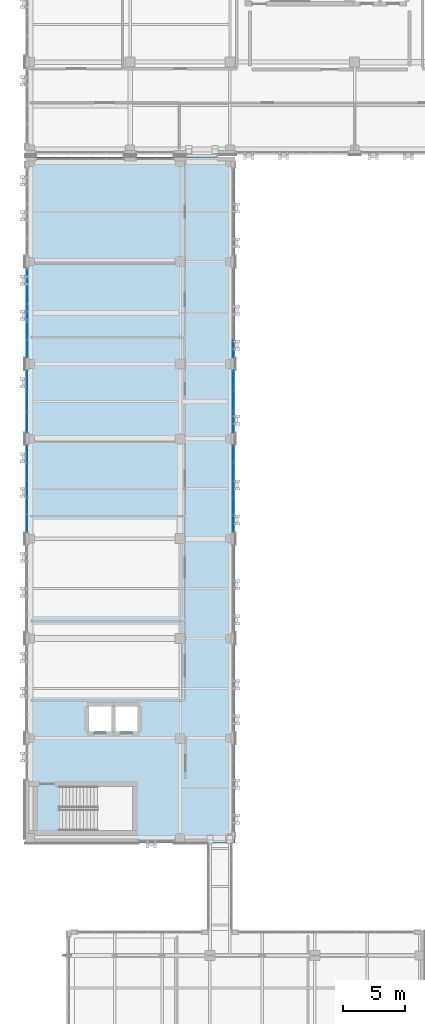
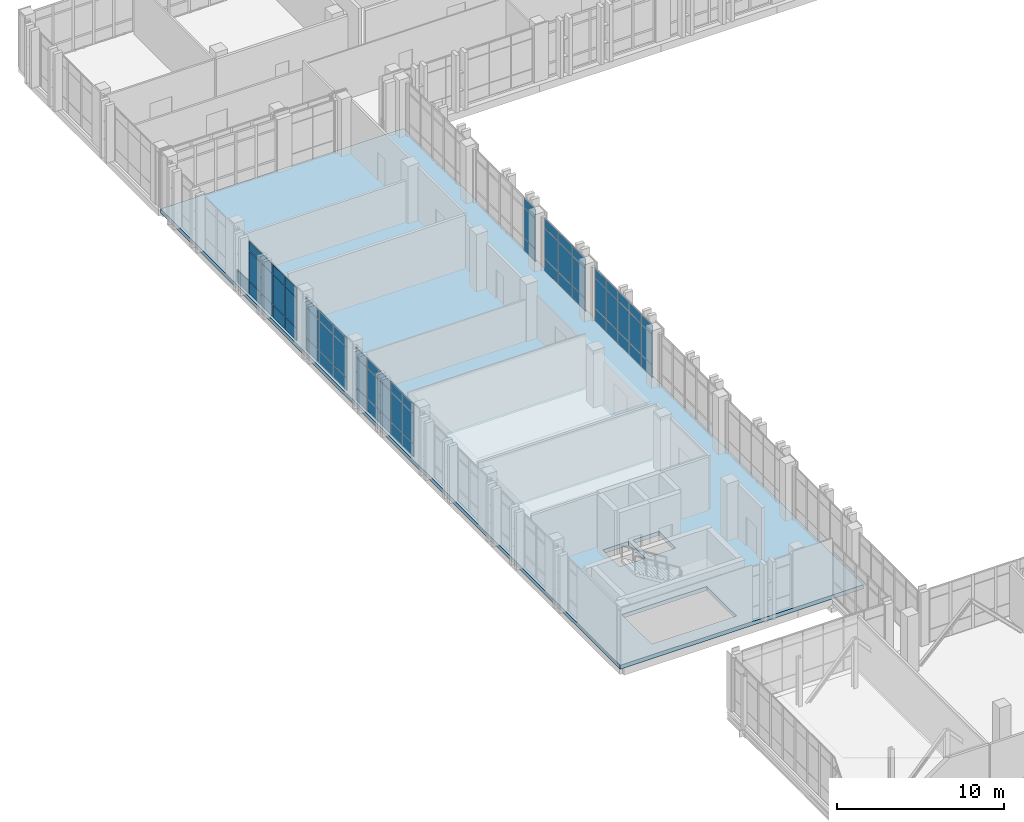
# One storey, part 142 of 193: 64 plates, 1 slab, 6 elements without a shape of their own.
"""IFC4 building model written with IfcOpenShell, lengths in metres."""

from ifc_helpers import new_model, si_unit, direction, frame, origin, origin_2d, place, context, subcontext, project, spatial, polyline, rectangle, outline, extrude, material, layer, layer_set, type_object, element, aggregate, save


model = new_model("IFC4")

# Units and contexts
model_context = context("Model", 3, precision=1e-05, world=origin(), true_north=direction((0.0, 1.0)))
body_context = subcontext(model_context, "Body", "Model", "MODEL_VIEW")
ifc_project = project(units=[si_unit("LENGTHUNIT", "METRE"), si_unit("AREAUNIT", "SQUARE_METRE"), si_unit("VOLUMEUNIT", "CUBIC_METRE"), si_unit("PLANEANGLEUNIT", "RADIAN"), si_unit("MASSUNIT", "GRAM", prefix="KILO")], contexts=[model_context])

# Site, building, storey
site_placement = place(None, origin())
site = spatial("IfcSite", under=ifc_project, at=site_placement, CompositionType="ELEMENT")
building_placement = place(site_placement, origin())
building = spatial("IfcBuilding", under=site, at=building_placement, Name="Qalavern Law Courts", CompositionType="ELEMENT")
storey_placement = place(building_placement, frame((0.0, 0.0, 10.199951171875)))
storey = spatial("IfcBuildingStorey", under=building, at=storey_placement, Name="L02", CompositionType="ELEMENT", Elevation=10.199951171875)

# Curtain wall, plates
ifc_material_1 = material(Name="Anodised aluminium and insulated glazing", Category="aluminium")
ifc_layer_1 = layer(ifc_material_1, 0.172119140625)
ifc_layer_set_1 = layer_set([ifc_layer_1], Name="Anodised aluminium and insulated glazing")
curtain_wall_type = type_object("IfcCurtainWallType", Name="ENV-CW-COURT", PredefinedType="USERDEFINED", material=ifc_layer_set_1)
curtain_wall_1_placement = place(storey_placement, origin())
curtain_wall_1 = element("IfcCurtainWall", 1, at=curtain_wall_1_placement, inside=storey, type_object=curtain_wall_type, Name="V3 unitised curtain wall L02 west 3", ObjectType="UNITISED CURTAIN WALL", PredefinedType="USERDEFINED")
ifc_material_2 = material(Name="Insulated low-E acoustic glazing", Category="glass")
ifc_layer_2 = layer(ifc_material_2, 0.02392578125)
ifc_layer_set_2 = layer_set([ifc_layer_2], Name="Insulated low-E acoustic glazing")
plate_type_1 = type_object("IfcPlateType", Name="ENV-CWP-24", PredefinedType="CURTAIN_PANEL", material=ifc_layer_set_2)
plate_1_placement = place(storey_placement, frame((2.155029296875, 78.0546875, 0.048095703125), z_axis=(0.0, 0.0, 1.0), x_axis=(0.0, -1.0, 0.0)))
plate_1 = element("IfcPlate", 2, at=plate_1_placement, type_object=plate_type_1, Name="CW-03 panel 1.1", PredefinedType="CURTAIN_PANEL", context=body_context, shape_type="SweptSolid", body=[
    extrude(rectangle(XDim=1.5947265625, YDim=0.02392578125, at=origin_2d()), origin(), (0.0, 0.0, 1.0), 0.8779296875),
])
plate_2_placement = place(storey_placement, frame((2.155029296875, 78.0546875, 0.97412109375), z_axis=(0.0, 0.0, 1.0), x_axis=(0.0, -1.0, 0.0)))
plate_2 = element("IfcPlate", 3, at=plate_2_placement, type_object=plate_type_1, Name="CW-03 panel 1.2", PredefinedType="CURTAIN_PANEL", context=body_context, shape_type="SweptSolid", body=[
    extrude(rectangle(XDim=1.5947265625, YDim=0.02392578125, at=origin_2d()), origin(), (0.0, 0.0, 1.0), 2.1669921875),
])
plate_3_placement = place(storey_placement, frame((2.155029296875, 78.0546875, 3.18896484375), z_axis=(0.0, 0.0, 1.0), x_axis=(0.0, -1.0, 0.0)))
plate_3 = element("IfcPlate", 4, at=plate_3_placement, type_object=plate_type_1, Name="CW-03 panel 1.3", PredefinedType="CURTAIN_PANEL", context=body_context, shape_type="SweptSolid", body=[
    extrude(rectangle(XDim=1.5947265625, YDim=0.02392578125, at=origin_2d()), origin(), (0.0, 0.0, 1.0), 0.677978515625),
])
plate_4_placement = place(storey_placement, frame((2.155029296875, 76.39990234375, 0.048095703125), z_axis=(0.0, 0.0, 1.0), x_axis=(0.0, -1.0, 0.0)))
plate_4 = element("IfcPlate", 5, at=plate_4_placement, type_object=plate_type_1, Name="CW-03 panel 2.1", PredefinedType="CURTAIN_PANEL", context=body_context, shape_type="SweptSolid", body=[
    extrude(rectangle(XDim=1.61865234375, YDim=0.02392578125, at=origin_2d()), origin(), (0.0, 0.0, 1.0), 0.8779296875),
])
plate_5_placement = place(storey_placement, frame((2.155029296875, 76.39990234375, 0.97412109375), z_axis=(0.0, 0.0, 1.0), x_axis=(0.0, -1.0, 0.0)))
plate_5 = element("IfcPlate", 6, at=plate_5_placement, type_object=plate_type_1, Name="CW-03 panel 2.2", PredefinedType="CURTAIN_PANEL", context=body_context, shape_type="SweptSolid", body=[
    extrude(rectangle(XDim=1.61865234375, YDim=0.02392578125, at=origin_2d()), origin(), (0.0, 0.0, 1.0), 2.1669921875),
])
plate_6_placement = place(storey_placement, frame((2.155029296875, 76.39990234375, 3.18896484375), z_axis=(0.0, 0.0, 1.0), x_axis=(0.0, -1.0, 0.0)))
plate_6 = element("IfcPlate", 7, at=plate_6_placement, type_object=plate_type_1, Name="CW-03 panel 2.3", PredefinedType="CURTAIN_PANEL", context=body_context, shape_type="SweptSolid", body=[
    extrude(rectangle(XDim=1.61865234375, YDim=0.02392578125, at=origin_2d()), origin(), (0.0, 0.0, 1.0), 0.677978515625),
])
plate_7_placement = place(storey_placement, frame((2.155029296875, 74.745361328125, 0.048095703125), z_axis=(0.0, 0.0, 1.0), x_axis=(0.0, -1.0, 0.0)))
plate_7 = element("IfcPlate", 8, at=plate_7_placement, type_object=plate_type_1, Name="CW-03 panel 3.1", PredefinedType="CURTAIN_PANEL", context=body_context, shape_type="SweptSolid", body=[
    extrude(rectangle(XDim=1.5947265625, YDim=0.02392578125, at=origin_2d()), origin(), (0.0, 0.0, 1.0), 0.8779296875),
])
plate_8_placement = place(storey_placement, frame((2.155029296875, 74.745361328125, 0.97412109375), z_axis=(0.0, 0.0, 1.0), x_axis=(0.0, -1.0, 0.0)))
plate_8 = element("IfcPlate", 9, at=plate_8_placement, type_object=plate_type_1, Name="CW-03 panel 3.2", PredefinedType="CURTAIN_PANEL", context=body_context, shape_type="SweptSolid", body=[
    extrude(rectangle(XDim=1.5947265625, YDim=0.02392578125, at=origin_2d()), origin(), (0.0, 0.0, 1.0), 2.1669921875),
])
plate_9_placement = place(storey_placement, frame((2.155029296875, 74.745361328125, 3.18896484375), z_axis=(0.0, 0.0, 1.0), x_axis=(0.0, -1.0, 0.0)))
plate_9 = element("IfcPlate", 10, at=plate_9_placement, type_object=plate_type_1, Name="CW-03 panel 3.3", PredefinedType="CURTAIN_PANEL", context=body_context, shape_type="SweptSolid", body=[
    extrude(rectangle(XDim=1.5947265625, YDim=0.02392578125, at=origin_2d()), origin(), (0.0, 0.0, 1.0), 0.677978515625),
])
aggregate(curtain_wall_1, [plate_1, plate_2, plate_3, plate_4, plate_5, plate_6, plate_7, plate_8, plate_9])

curtain_wall_2_placement = place(storey_placement, origin())
curtain_wall_2 = element("IfcCurtainWall", 11, at=curtain_wall_2_placement, inside=storey, type_object=curtain_wall_type, Name="V3 unitised curtain wall L02 east 4", ObjectType="UNITISED CURTAIN WALL", PredefinedType="USERDEFINED")
ifc_layer_3 = layer(ifc_material_2, 0.028076171875)
ifc_layer_set_3 = layer_set([ifc_layer_3], Name="Insulated low-E acoustic glazing")
plate_type_2 = type_object("IfcPlateType", Name="ENV-CWP-28", PredefinedType="CURTAIN_PANEL", material=ifc_layer_set_3)
plate_10_placement = place(storey_placement, frame((18.64501953125, 66.612060546875, 0.048095703125), z_axis=(0.0, 0.0, 1.0), x_axis=(0.0, 1.0, 0.0)))
plate_10 = element("IfcPlate", 12, at=plate_10_placement, type_object=plate_type_2, Name="CW-03 panel 1.1", PredefinedType="CURTAIN_PANEL", context=body_context, shape_type="SweptSolid", body=[
    extrude(rectangle(XDim=1.327880859375, YDim=0.028076171875, at=origin_2d()), origin(), (0.0, 0.0, 1.0), 0.8779296875),
])
plate_11_placement = place(storey_placement, frame((18.64501953125, 66.612060546875, 0.97412109375), z_axis=(0.0, 0.0, 1.0), x_axis=(0.0, 1.0, 0.0)))
plate_11 = element("IfcPlate", 13, at=plate_11_placement, type_object=plate_type_2, Name="CW-03 panel 1.2", PredefinedType="CURTAIN_PANEL", context=body_context, shape_type="SweptSolid", body=[
    extrude(rectangle(XDim=1.327880859375, YDim=0.028076171875, at=origin_2d()), origin(), (0.0, 0.0, 1.0), 2.1669921875),
])
plate_12_placement = place(storey_placement, frame((18.64501953125, 66.612060546875, 3.18896484375), z_axis=(0.0, 0.0, 1.0), x_axis=(0.0, 1.0, 0.0)))
plate_12 = element("IfcPlate", 14, at=plate_12_placement, type_object=plate_type_2, Name="CW-03 panel 1.3", PredefinedType="CURTAIN_PANEL", context=body_context, shape_type="SweptSolid", body=[
    extrude(rectangle(XDim=1.327880859375, YDim=0.028076171875, at=origin_2d()), origin(), (0.0, 0.0, 1.0), 0.677978515625),
])
plate_13_placement = place(storey_placement, frame((18.64501953125, 68.0, 0.048095703125), z_axis=(0.0, 0.0, 1.0), x_axis=(0.0, 1.0, 0.0)))
plate_13 = element("IfcPlate", 15, at=plate_13_placement, type_object=plate_type_2, Name="CW-03 panel 2.1", PredefinedType="CURTAIN_PANEL", context=body_context, shape_type="SweptSolid", body=[
    extrude(rectangle(XDim=1.35205078125, YDim=0.028076171875, at=origin_2d()), origin(), (0.0, 0.0, 1.0), 0.8779296875),
])
plate_14_placement = place(storey_placement, frame((18.64501953125, 68.0, 0.97412109375), z_axis=(0.0, 0.0, 1.0), x_axis=(0.0, 1.0, 0.0)))
plate_14 = element("IfcPlate", 16, at=plate_14_placement, type_object=plate_type_2, Name="CW-03 panel 2.2", PredefinedType="CURTAIN_PANEL", context=body_context, shape_type="SweptSolid", body=[
    extrude(rectangle(XDim=1.35205078125, YDim=0.028076171875, at=origin_2d()), origin(), (0.0, 0.0, 1.0), 2.1669921875),
])
plate_15_placement = place(storey_placement, frame((18.64501953125, 68.0, 3.18896484375), z_axis=(0.0, 0.0, 1.0), x_axis=(0.0, 1.0, 0.0)))
plate_15 = element("IfcPlate", 17, at=plate_15_placement, type_object=plate_type_2, Name="CW-03 panel 2.3", PredefinedType="CURTAIN_PANEL", context=body_context, shape_type="SweptSolid", body=[
    extrude(rectangle(XDim=1.35205078125, YDim=0.028076171875, at=origin_2d()), origin(), (0.0, 0.0, 1.0), 0.677978515625),
])
plate_16_placement = place(storey_placement, frame((18.64501953125, 69.39990234375, 0.048095703125), z_axis=(0.0, 0.0, 1.0), x_axis=(0.0, 1.0, 0.0)))
plate_16 = element("IfcPlate", 18, at=plate_16_placement, type_object=plate_type_2, Name="CW-03 panel 3.1", PredefinedType="CURTAIN_PANEL", context=body_context, shape_type="SweptSolid", body=[
    extrude(rectangle(XDim=1.35205078125, YDim=0.028076171875, at=origin_2d()), origin(), (0.0, 0.0, 1.0), 0.8779296875),
])
plate_17_placement = place(storey_placement, frame((18.64501953125, 69.39990234375, 0.97412109375), z_axis=(0.0, 0.0, 1.0), x_axis=(0.0, 1.0, 0.0)))
plate_17 = element("IfcPlate", 19, at=plate_17_placement, type_object=plate_type_2, Name="CW-03 panel 3.2", PredefinedType="CURTAIN_PANEL", context=body_context, shape_type="SweptSolid", body=[
    extrude(rectangle(XDim=1.35205078125, YDim=0.028076171875, at=origin_2d()), origin(), (0.0, 0.0, 1.0), 2.1669921875),
])
plate_18_placement = place(storey_placement, frame((18.64501953125, 69.39990234375, 3.18896484375), z_axis=(0.0, 0.0, 1.0), x_axis=(0.0, 1.0, 0.0)))
plate_18 = element("IfcPlate", 20, at=plate_18_placement, type_object=plate_type_2, Name="CW-03 panel 3.3", PredefinedType="CURTAIN_PANEL", context=body_context, shape_type="SweptSolid", body=[
    extrude(rectangle(XDim=1.35205078125, YDim=0.028076171875, at=origin_2d()), origin(), (0.0, 0.0, 1.0), 0.677978515625),
])
plate_19_placement = place(storey_placement, frame((18.64501953125, 70.800048828125, 0.048095703125), z_axis=(0.0, 0.0, 1.0), x_axis=(0.0, 1.0, 0.0)))
plate_19 = element("IfcPlate", 21, at=plate_19_placement, type_object=plate_type_2, Name="CW-03 panel 4.1", PredefinedType="CURTAIN_PANEL", context=body_context, shape_type="SweptSolid", body=[
    extrude(rectangle(XDim=1.35205078125, YDim=0.028076171875, at=origin_2d()), origin(), (0.0, 0.0, 1.0), 0.8779296875),
])
plate_20_placement = place(storey_placement, frame((18.64501953125, 70.800048828125, 0.97412109375), z_axis=(0.0, 0.0, 1.0), x_axis=(0.0, 1.0, 0.0)))
plate_20 = element("IfcPlate", 22, at=plate_20_placement, type_object=plate_type_2, Name="CW-03 panel 4.2", PredefinedType="CURTAIN_PANEL", context=body_context, shape_type="SweptSolid", body=[
    extrude(rectangle(XDim=1.35205078125, YDim=0.028076171875, at=origin_2d()), origin(), (0.0, 0.0, 1.0), 2.1669921875),
])
plate_21_placement = place(storey_placement, frame((18.64501953125, 70.800048828125, 3.18896484375), z_axis=(0.0, 0.0, 1.0), x_axis=(0.0, 1.0, 0.0)))
plate_21 = element("IfcPlate", 23, at=plate_21_placement, type_object=plate_type_2, Name="CW-03 panel 4.3", PredefinedType="CURTAIN_PANEL", context=body_context, shape_type="SweptSolid", body=[
    extrude(rectangle(XDim=1.35205078125, YDim=0.028076171875, at=origin_2d()), origin(), (0.0, 0.0, 1.0), 0.677978515625),
])
plate_22_placement = place(storey_placement, frame((18.64501953125, 72.18798828125, 0.048095703125), z_axis=(0.0, 0.0, 1.0), x_axis=(0.0, 1.0, 0.0)))
plate_22 = element("IfcPlate", 24, at=plate_22_placement, type_object=plate_type_2, Name="CW-03 panel 5.1", PredefinedType="CURTAIN_PANEL", context=body_context, shape_type="SweptSolid", body=[
    extrude(rectangle(XDim=1.327880859375, YDim=0.028076171875, at=origin_2d()), origin(), (0.0, 0.0, 1.0), 0.8779296875),
])
plate_23_placement = place(storey_placement, frame((18.64501953125, 72.18798828125, 0.97412109375), z_axis=(0.0, 0.0, 1.0), x_axis=(0.0, 1.0, 0.0)))
plate_23 = element("IfcPlate", 25, at=plate_23_placement, type_object=plate_type_2, Name="CW-03 panel 5.2", PredefinedType="CURTAIN_PANEL", context=body_context, shape_type="SweptSolid", body=[
    extrude(rectangle(XDim=1.327880859375, YDim=0.028076171875, at=origin_2d()), origin(), (0.0, 0.0, 1.0), 2.1669921875),
])
plate_24_placement = place(storey_placement, frame((18.64501953125, 72.18798828125, 3.18896484375), z_axis=(0.0, 0.0, 1.0), x_axis=(0.0, 1.0, 0.0)))
plate_24 = element("IfcPlate", 26, at=plate_24_placement, type_object=plate_type_2, Name="CW-03 panel 5.3", PredefinedType="CURTAIN_PANEL", context=body_context, shape_type="SweptSolid", body=[
    extrude(rectangle(XDim=1.327880859375, YDim=0.028076171875, at=origin_2d()), origin(), (0.0, 0.0, 1.0), 0.677978515625),
])
aggregate(curtain_wall_2, [plate_10, plate_11, plate_12, plate_13, plate_14, plate_15, plate_16, plate_17, plate_18, plate_19, plate_20, plate_21, plate_22, plate_23, plate_24])

curtain_wall_3_placement = place(storey_placement, origin())
curtain_wall_3 = element("IfcCurtainWall", 27, at=curtain_wall_3_placement, inside=storey, type_object=curtain_wall_type, Name="V3 unitised curtain wall L02 west 4", ObjectType="UNITISED CURTAIN WALL", PredefinedType="USERDEFINED")
plate_25_placement = place(storey_placement, frame((2.155029296875, 72.18798828125, 0.048095703125), z_axis=(0.0, 0.0, 1.0), x_axis=(0.0, -1.0, 0.0)))
plate_25 = element("IfcPlate", 28, at=plate_25_placement, type_object=plate_type_2, Name="CW-03 panel 1.1", PredefinedType="CURTAIN_PANEL", context=body_context, shape_type="SweptSolid", body=[
    extrude(rectangle(XDim=1.327880859375, YDim=0.028076171875, at=origin_2d()), origin(), (0.0, 0.0, 1.0), 0.8779296875),
])
plate_26_placement = place(storey_placement, frame((2.155029296875, 72.18798828125, 0.97412109375), z_axis=(0.0, 0.0, 1.0), x_axis=(0.0, -1.0, 0.0)))
plate_26 = element("IfcPlate", 29, at=plate_26_placement, type_object=plate_type_2, Name="CW-03 panel 1.2", PredefinedType="CURTAIN_PANEL", context=body_context, shape_type="SweptSolid", body=[
    extrude(rectangle(XDim=1.327880859375, YDim=0.028076171875, at=origin_2d()), origin(), (0.0, 0.0, 1.0), 2.1669921875),
])
plate_27_placement = place(storey_placement, frame((2.155029296875, 72.18798828125, 3.18896484375), z_axis=(0.0, 0.0, 1.0), x_axis=(0.0, -1.0, 0.0)))
plate_27 = element("IfcPlate", 30, at=plate_27_placement, type_object=plate_type_2, Name="CW-03 panel 1.3", PredefinedType="CURTAIN_PANEL", context=body_context, shape_type="SweptSolid", body=[
    extrude(rectangle(XDim=1.327880859375, YDim=0.028076171875, at=origin_2d()), origin(), (0.0, 0.0, 1.0), 0.677978515625),
])
plate_28_placement = place(storey_placement, frame((2.155029296875, 70.800048828125, 0.048095703125), z_axis=(0.0, 0.0, 1.0), x_axis=(0.0, -1.0, 0.0)))
plate_28 = element("IfcPlate", 31, at=plate_28_placement, type_object=plate_type_2, Name="CW-03 panel 2.1", PredefinedType="CURTAIN_PANEL", context=body_context, shape_type="SweptSolid", body=[
    extrude(rectangle(XDim=1.35205078125, YDim=0.028076171875, at=origin_2d()), origin(), (0.0, 0.0, 1.0), 0.8779296875),
])
plate_29_placement = place(storey_placement, frame((2.155029296875, 70.800048828125, 0.97412109375), z_axis=(0.0, 0.0, 1.0), x_axis=(0.0, -1.0, 0.0)))
plate_29 = element("IfcPlate", 32, at=plate_29_placement, type_object=plate_type_2, Name="CW-03 panel 2.2", PredefinedType="CURTAIN_PANEL", context=body_context, shape_type="SweptSolid", body=[
    extrude(rectangle(XDim=1.35205078125, YDim=0.028076171875, at=origin_2d()), origin(), (0.0, 0.0, 1.0), 2.1669921875),
])
plate_30_placement = place(storey_placement, frame((2.155029296875, 70.800048828125, 3.18896484375), z_axis=(0.0, 0.0, 1.0), x_axis=(0.0, -1.0, 0.0)))
plate_30 = element("IfcPlate", 33, at=plate_30_placement, type_object=plate_type_2, Name="CW-03 panel 2.3", PredefinedType="CURTAIN_PANEL", context=body_context, shape_type="SweptSolid", body=[
    extrude(rectangle(XDim=1.35205078125, YDim=0.028076171875, at=origin_2d()), origin(), (0.0, 0.0, 1.0), 0.677978515625),
])
plate_31_placement = place(storey_placement, frame((2.155029296875, 69.39990234375, 0.048095703125), z_axis=(0.0, 0.0, 1.0), x_axis=(0.0, -1.0, 0.0)))
plate_31 = element("IfcPlate", 34, at=plate_31_placement, type_object=plate_type_2, Name="CW-03 panel 3.1", PredefinedType="CURTAIN_PANEL", context=body_context, shape_type="SweptSolid", body=[
    extrude(rectangle(XDim=1.35205078125, YDim=0.028076171875, at=origin_2d()), origin(), (0.0, 0.0, 1.0), 0.8779296875),
])
plate_32_placement = place(storey_placement, frame((2.155029296875, 69.39990234375, 0.97412109375), z_axis=(0.0, 0.0, 1.0), x_axis=(0.0, -1.0, 0.0)))
plate_32 = element("IfcPlate", 35, at=plate_32_placement, type_object=plate_type_2, Name="CW-03 panel 3.2", PredefinedType="CURTAIN_PANEL", context=body_context, shape_type="SweptSolid", body=[
    extrude(rectangle(XDim=1.35205078125, YDim=0.028076171875, at=origin_2d()), origin(), (0.0, 0.0, 1.0), 2.1669921875),
])
plate_33_placement = place(storey_placement, frame((2.155029296875, 69.39990234375, 3.18896484375), z_axis=(0.0, 0.0, 1.0), x_axis=(0.0, -1.0, 0.0)))
plate_33 = element("IfcPlate", 36, at=plate_33_placement, type_object=plate_type_2, Name="CW-03 panel 3.3", PredefinedType="CURTAIN_PANEL", context=body_context, shape_type="SweptSolid", body=[
    extrude(rectangle(XDim=1.35205078125, YDim=0.028076171875, at=origin_2d()), origin(), (0.0, 0.0, 1.0), 0.677978515625),
])
plate_34_placement = place(storey_placement, frame((2.155029296875, 68.0, 0.048095703125), z_axis=(0.0, 0.0, 1.0), x_axis=(0.0, -1.0, 0.0)))
plate_34 = element("IfcPlate", 37, at=plate_34_placement, type_object=plate_type_2, Name="CW-03 panel 4.1", PredefinedType="CURTAIN_PANEL", context=body_context, shape_type="SweptSolid", body=[
    extrude(rectangle(XDim=1.35205078125, YDim=0.028076171875, at=origin_2d()), origin(), (0.0, 0.0, 1.0), 0.8779296875),
])
plate_35_placement = place(storey_placement, frame((2.155029296875, 68.0, 0.97412109375), z_axis=(0.0, 0.0, 1.0), x_axis=(0.0, -1.0, 0.0)))
plate_35 = element("IfcPlate", 38, at=plate_35_placement, type_object=plate_type_2, Name="CW-03 panel 4.2", PredefinedType="CURTAIN_PANEL", context=body_context, shape_type="SweptSolid", body=[
    extrude(rectangle(XDim=1.35205078125, YDim=0.028076171875, at=origin_2d()), origin(), (0.0, 0.0, 1.0), 2.1669921875),
])
plate_36_placement = place(storey_placement, frame((2.155029296875, 68.0, 3.18896484375), z_axis=(0.0, 0.0, 1.0), x_axis=(0.0, -1.0, 0.0)))
plate_36 = element("IfcPlate", 39, at=plate_36_placement, type_object=plate_type_2, Name="CW-03 panel 4.3", PredefinedType="CURTAIN_PANEL", context=body_context, shape_type="SweptSolid", body=[
    extrude(rectangle(XDim=1.35205078125, YDim=0.028076171875, at=origin_2d()), origin(), (0.0, 0.0, 1.0), 0.677978515625),
])
plate_37_placement = place(storey_placement, frame((2.155029296875, 66.612060546875, 0.048095703125), z_axis=(0.0, 0.0, 1.0), x_axis=(0.0, -1.0, 0.0)))
plate_37 = element("IfcPlate", 40, at=plate_37_placement, type_object=plate_type_2, Name="CW-03 panel 5.1", PredefinedType="CURTAIN_PANEL", context=body_context, shape_type="SweptSolid", body=[
    extrude(rectangle(XDim=1.327880859375, YDim=0.028076171875, at=origin_2d()), origin(), (0.0, 0.0, 1.0), 0.8779296875),
])
plate_38_placement = place(storey_placement, frame((2.155029296875, 66.612060546875, 0.97412109375), z_axis=(0.0, 0.0, 1.0), x_axis=(0.0, -1.0, 0.0)))
plate_38 = element("IfcPlate", 41, at=plate_38_placement, type_object=plate_type_2, Name="CW-03 panel 5.2", PredefinedType="CURTAIN_PANEL", context=body_context, shape_type="SweptSolid", body=[
    extrude(rectangle(XDim=1.327880859375, YDim=0.028076171875, at=origin_2d()), origin(), (0.0, 0.0, 1.0), 2.1669921875),
])
plate_39_placement = place(storey_placement, frame((2.155029296875, 66.612060546875, 3.18896484375), z_axis=(0.0, 0.0, 1.0), x_axis=(0.0, -1.0, 0.0)))
plate_39 = element("IfcPlate", 42, at=plate_39_placement, type_object=plate_type_2, Name="CW-03 panel 5.3", PredefinedType="CURTAIN_PANEL", context=body_context, shape_type="SweptSolid", body=[
    extrude(rectangle(XDim=1.327880859375, YDim=0.028076171875, at=origin_2d()), origin(), (0.0, 0.0, 1.0), 0.677978515625),
])
aggregate(curtain_wall_3, [plate_25, plate_26, plate_27, plate_28, plate_29, plate_30, plate_31, plate_32, plate_33, plate_34, plate_35, plate_36, plate_37, plate_38, plate_39])

curtain_wall_4_placement = place(storey_placement, origin())
curtain_wall_4 = element("IfcCurtainWall", 43, at=curtain_wall_4_placement, inside=storey, type_object=curtain_wall_type, Name="V3 unitised curtain wall L02 east 5", ObjectType="UNITISED CURTAIN WALL", PredefinedType="USERDEFINED")
ifc_layer_4 = layer(ifc_material_2, 0.031982421875)
ifc_layer_set_4 = layer_set([ifc_layer_4], Name="Insulated low-E acoustic glazing")
plate_type_3 = type_object("IfcPlateType", Name="ENV-CWP-32", PredefinedType="CURTAIN_PANEL", material=ifc_layer_set_4)
plate_40_placement = place(storey_placement, frame((18.64501953125, 74.745361328125, 0.048095703125), z_axis=(0.0, 0.0, 1.0), x_axis=(0.0, 1.0, 0.0)))
plate_40 = element("IfcPlate", 44, at=plate_40_placement, type_object=plate_type_3, Name="CW-03 panel 1.1", PredefinedType="CURTAIN_PANEL", context=body_context, shape_type="SweptSolid", body=[
    extrude(rectangle(XDim=1.5947265625, YDim=0.031982421875, at=origin_2d()), origin(), (0.0, 0.0, 1.0), 0.8779296875),
])
plate_41_placement = place(storey_placement, frame((18.64501953125, 74.745361328125, 0.97412109375), z_axis=(0.0, 0.0, 1.0), x_axis=(0.0, 1.0, 0.0)))
plate_41 = element("IfcPlate", 45, at=plate_41_placement, type_object=plate_type_3, Name="CW-03 panel 1.2", PredefinedType="CURTAIN_PANEL", context=body_context, shape_type="SweptSolid", body=[
    extrude(rectangle(XDim=1.5947265625, YDim=0.031982421875, at=origin_2d()), origin(), (0.0, 0.0, 1.0), 2.1669921875),
])
plate_42_placement = place(storey_placement, frame((18.64501953125, 74.745361328125, 3.18896484375), z_axis=(0.0, 0.0, 1.0), x_axis=(0.0, 1.0, 0.0)))
plate_42 = element("IfcPlate", 46, at=plate_42_placement, type_object=plate_type_3, Name="CW-03 panel 1.3", PredefinedType="CURTAIN_PANEL", context=body_context, shape_type="SweptSolid", body=[
    extrude(rectangle(XDim=1.5947265625, YDim=0.031982421875, at=origin_2d()), origin(), (0.0, 0.0, 1.0), 0.677978515625),
])
plate_43_placement = place(storey_placement, frame((18.64501953125, 76.39990234375, 0.048095703125), z_axis=(0.0, 0.0, 1.0), x_axis=(0.0, 1.0, 0.0)))
plate_43 = element("IfcPlate", 47, at=plate_43_placement, type_object=plate_type_3, Name="CW-03 panel 2.1", PredefinedType="CURTAIN_PANEL", context=body_context, shape_type="SweptSolid", body=[
    extrude(rectangle(XDim=1.61865234375, YDim=0.031982421875, at=origin_2d()), origin(), (0.0, 0.0, 1.0), 0.8779296875),
])
plate_44_placement = place(storey_placement, frame((18.64501953125, 76.39990234375, 0.97412109375), z_axis=(0.0, 0.0, 1.0), x_axis=(0.0, 1.0, 0.0)))
plate_44 = element("IfcPlate", 48, at=plate_44_placement, type_object=plate_type_3, Name="CW-03 panel 2.2", PredefinedType="CURTAIN_PANEL", context=body_context, shape_type="SweptSolid", body=[
    extrude(rectangle(XDim=1.61865234375, YDim=0.031982421875, at=origin_2d()), origin(), (0.0, 0.0, 1.0), 2.1669921875),
])
plate_45_placement = place(storey_placement, frame((18.64501953125, 76.39990234375, 3.18896484375), z_axis=(0.0, 0.0, 1.0), x_axis=(0.0, 1.0, 0.0)))
plate_45 = element("IfcPlate", 49, at=plate_45_placement, type_object=plate_type_3, Name="CW-03 panel 2.3", PredefinedType="CURTAIN_PANEL", context=body_context, shape_type="SweptSolid", body=[
    extrude(rectangle(XDim=1.61865234375, YDim=0.031982421875, at=origin_2d()), origin(), (0.0, 0.0, 1.0), 0.677978515625),
])
plate_46_placement = place(storey_placement, frame((18.64501953125, 78.0546875, 0.048095703125), z_axis=(0.0, 0.0, 1.0), x_axis=(0.0, 1.0, 0.0)))
plate_46 = element("IfcPlate", 50, at=plate_46_placement, type_object=plate_type_3, Name="CW-03 panel 3.1", PredefinedType="CURTAIN_PANEL", context=body_context, shape_type="SweptSolid", body=[
    extrude(rectangle(XDim=1.5947265625, YDim=0.031982421875, at=origin_2d()), origin(), (0.0, 0.0, 1.0), 0.8779296875),
])
plate_47_placement = place(storey_placement, frame((18.64501953125, 78.0546875, 0.97412109375), z_axis=(0.0, 0.0, 1.0), x_axis=(0.0, 1.0, 0.0)))
plate_47 = element("IfcPlate", 51, at=plate_47_placement, type_object=plate_type_3, Name="CW-03 panel 3.2", PredefinedType="CURTAIN_PANEL", context=body_context, shape_type="SweptSolid", body=[
    extrude(rectangle(XDim=1.5947265625, YDim=0.031982421875, at=origin_2d()), origin(), (0.0, 0.0, 1.0), 2.1669921875),
])
plate_48_placement = place(storey_placement, frame((18.64501953125, 78.0546875, 3.18896484375), z_axis=(0.0, 0.0, 1.0), x_axis=(0.0, 1.0, 0.0)))
plate_48 = element("IfcPlate", 52, at=plate_48_placement, type_object=plate_type_3, Name="CW-03 panel 3.3", PredefinedType="CURTAIN_PANEL", context=body_context, shape_type="SweptSolid", body=[
    extrude(rectangle(XDim=1.5947265625, YDim=0.031982421875, at=origin_2d()), origin(), (0.0, 0.0, 1.0), 0.677978515625),
])
aggregate(curtain_wall_4, [plate_40, plate_41, plate_42, plate_43, plate_44, plate_45, plate_46, plate_47, plate_48])

curtain_wall_5_placement = place(storey_placement, origin())
curtain_wall_5 = element("IfcCurtainWall", 53, at=curtain_wall_5_placement, inside=storey, type_object=curtain_wall_type, Name="V3 unitised curtain wall L02 east 6", ObjectType="UNITISED CURTAIN WALL", PredefinedType="USERDEFINED")
ifc_layer_5 = layer(ifc_material_2, 0.035888671875)
ifc_layer_set_5 = layer_set([ifc_layer_5], Name="Insulated low-E acoustic glazing")
plate_type_4 = type_object("IfcPlateType", Name="ENV-CWP-36", PredefinedType="CURTAIN_PANEL", material=ifc_layer_set_5)
plate_49_placement = place(storey_placement, frame((18.64501953125, 80.632080078125, 0.048095703125), z_axis=(0.0, 0.0, 1.0), x_axis=(0.0, 1.0, 0.0)))
plate_49 = element("IfcPlate", 54, at=plate_49_placement, type_object=plate_type_4, Name="CW-03 panel 1.1", PredefinedType="CURTAIN_PANEL", context=body_context, shape_type="SweptSolid", body=[
    extrude(rectangle(XDim=1.367919921875, YDim=0.035888671875, at=origin_2d()), origin(), (0.0, 0.0, 1.0), 0.8779296875),
])
plate_50_placement = place(storey_placement, frame((18.64501953125, 80.632080078125, 0.97412109375), z_axis=(0.0, 0.0, 1.0), x_axis=(0.0, 1.0, 0.0)))
plate_50 = element("IfcPlate", 55, at=plate_50_placement, type_object=plate_type_4, Name="CW-03 panel 1.2", PredefinedType="CURTAIN_PANEL", context=body_context, shape_type="SweptSolid", body=[
    extrude(rectangle(XDim=1.367919921875, YDim=0.035888671875, at=origin_2d()), origin(), (0.0, 0.0, 1.0), 2.1669921875),
])
plate_51_placement = place(storey_placement, frame((18.64501953125, 80.632080078125, 3.18896484375), z_axis=(0.0, 0.0, 1.0), x_axis=(0.0, 1.0, 0.0)))
plate_51 = element("IfcPlate", 56, at=plate_51_placement, type_object=plate_type_4, Name="CW-03 panel 1.3", PredefinedType="CURTAIN_PANEL", context=body_context, shape_type="SweptSolid", body=[
    extrude(rectangle(XDim=1.367919921875, YDim=0.035888671875, at=origin_2d()), origin(), (0.0, 0.0, 1.0), 0.677978515625),
])
aggregate(curtain_wall_5, [plate_49, plate_50, plate_51])

curtain_wall_6_placement = place(storey_placement, origin())
curtain_wall_6 = element("IfcCurtainWall", 57, at=curtain_wall_6_placement, inside=storey, type_object=curtain_wall_type, Name="V3 unitised curtain wall L02 west 2", ObjectType="UNITISED CURTAIN WALL", PredefinedType="USERDEFINED")
ifc_layer_6 = layer(ifc_material_2, 0.052001953125)
ifc_layer_set_6 = layer_set([ifc_layer_6], Name="Insulated low-E acoustic glazing")
plate_type_5 = type_object("IfcPlateType", Name="ENV-CWP-52", PredefinedType="CURTAIN_PANEL", material=ifc_layer_set_6)
plate_52_placement = place(storey_placement, frame((2.155029296875, 86.367919921875, 0.048095703125), z_axis=(0.0, 0.0, 1.0), x_axis=(0.0, -1.0, 0.0)))
plate_52 = element("IfcPlate", 58, at=plate_52_placement, type_object=plate_type_5, Name="CW-03 panel 1.1", PredefinedType="CURTAIN_PANEL", context=body_context, shape_type="SweptSolid", body=[
    extrude(rectangle(XDim=1.367919921875, YDim=0.052001953125, at=origin_2d()), origin(), (0.0, 0.0, 1.0), 0.8779296875),
])
plate_53_placement = place(storey_placement, frame((2.155029296875, 84.93994140625, 0.048095703125), z_axis=(0.0, 0.0, 1.0), x_axis=(0.0, -1.0, 0.0)))
plate_53 = element("IfcPlate", 59, at=plate_53_placement, type_object=plate_type_5, Name="CW-03 panel 2.1", PredefinedType="CURTAIN_PANEL", context=body_context, shape_type="SweptSolid", body=[
    extrude(rectangle(XDim=1.39208984375, YDim=0.052001953125, at=origin_2d()), origin(), (0.0, 0.0, 1.0), 0.8779296875),
])
plate_54_placement = place(storey_placement, frame((2.155029296875, 84.93994140625, 0.97412109375), z_axis=(0.0, 0.0, 1.0), x_axis=(0.0, -1.0, 0.0)))
plate_54 = element("IfcPlate", 60, at=plate_54_placement, type_object=plate_type_5, Name="CW-03 panel 2.2", PredefinedType="CURTAIN_PANEL", context=body_context, shape_type="SweptSolid", body=[
    extrude(rectangle(XDim=1.39208984375, YDim=0.052001953125, at=origin_2d()), origin(), (0.0, 0.0, 1.0), 2.1669921875),
])
plate_55_placement = place(storey_placement, frame((2.155029296875, 84.93994140625, 3.18896484375), z_axis=(0.0, 0.0, 1.0), x_axis=(0.0, -1.0, 0.0)))
plate_55 = element("IfcPlate", 61, at=plate_55_placement, type_object=plate_type_5, Name="CW-03 panel 2.3", PredefinedType="CURTAIN_PANEL", context=body_context, shape_type="SweptSolid", body=[
    extrude(rectangle(XDim=1.39208984375, YDim=0.052001953125, at=origin_2d()), origin(), (0.0, 0.0, 1.0), 0.677978515625),
])
plate_56_placement = place(storey_placement, frame((2.155029296875, 83.5, 0.048095703125), z_axis=(0.0, 0.0, 1.0), x_axis=(0.0, -1.0, 0.0)))
plate_56 = element("IfcPlate", 62, at=plate_56_placement, type_object=plate_type_5, Name="CW-03 panel 3.1", PredefinedType="CURTAIN_PANEL", context=body_context, shape_type="SweptSolid", body=[
    extrude(rectangle(XDim=1.39208984375, YDim=0.052001953125, at=origin_2d()), origin(), (0.0, 0.0, 1.0), 0.8779296875),
])
plate_57_placement = place(storey_placement, frame((2.155029296875, 83.5, 0.97412109375), z_axis=(0.0, 0.0, 1.0), x_axis=(0.0, -1.0, 0.0)))
plate_57 = element("IfcPlate", 63, at=plate_57_placement, type_object=plate_type_5, Name="CW-03 panel 3.2", PredefinedType="CURTAIN_PANEL", context=body_context, shape_type="SweptSolid", body=[
    extrude(rectangle(XDim=1.39208984375, YDim=0.052001953125, at=origin_2d()), origin(), (0.0, 0.0, 1.0), 2.1669921875),
])
plate_58_placement = place(storey_placement, frame((2.155029296875, 83.5, 3.18896484375), z_axis=(0.0, 0.0, 1.0), x_axis=(0.0, -1.0, 0.0)))
plate_58 = element("IfcPlate", 64, at=plate_58_placement, type_object=plate_type_5, Name="CW-03 panel 3.3", PredefinedType="CURTAIN_PANEL", context=body_context, shape_type="SweptSolid", body=[
    extrude(rectangle(XDim=1.39208984375, YDim=0.052001953125, at=origin_2d()), origin(), (0.0, 0.0, 1.0), 0.677978515625),
])
plate_59_placement = place(storey_placement, frame((2.155029296875, 82.06005859375, 0.048095703125), z_axis=(0.0, 0.0, 1.0), x_axis=(0.0, -1.0, 0.0)))
plate_59 = element("IfcPlate", 65, at=plate_59_placement, type_object=plate_type_5, Name="CW-03 panel 4.1", PredefinedType="CURTAIN_PANEL", context=body_context, shape_type="SweptSolid", body=[
    extrude(rectangle(XDim=1.39208984375, YDim=0.052001953125, at=origin_2d()), origin(), (0.0, 0.0, 1.0), 0.8779296875),
])
plate_60_placement = place(storey_placement, frame((2.155029296875, 82.06005859375, 0.97412109375), z_axis=(0.0, 0.0, 1.0), x_axis=(0.0, -1.0, 0.0)))
plate_60 = element("IfcPlate", 66, at=plate_60_placement, type_object=plate_type_5, Name="CW-03 panel 4.2", PredefinedType="CURTAIN_PANEL", context=body_context, shape_type="SweptSolid", body=[
    extrude(rectangle(XDim=1.39208984375, YDim=0.052001953125, at=origin_2d()), origin(), (0.0, 0.0, 1.0), 2.1669921875),
])
plate_61_placement = place(storey_placement, frame((2.155029296875, 82.06005859375, 3.18896484375), z_axis=(0.0, 0.0, 1.0), x_axis=(0.0, -1.0, 0.0)))
plate_61 = element("IfcPlate", 67, at=plate_61_placement, type_object=plate_type_5, Name="CW-03 panel 4.3", PredefinedType="CURTAIN_PANEL", context=body_context, shape_type="SweptSolid", body=[
    extrude(rectangle(XDim=1.39208984375, YDim=0.052001953125, at=origin_2d()), origin(), (0.0, 0.0, 1.0), 0.677978515625),
])
plate_62_placement = place(storey_placement, frame((2.155029296875, 80.632080078125, 0.048095703125), z_axis=(0.0, 0.0, 1.0), x_axis=(0.0, -1.0, 0.0)))
plate_62 = element("IfcPlate", 68, at=plate_62_placement, type_object=plate_type_5, Name="CW-03 panel 5.1", PredefinedType="CURTAIN_PANEL", context=body_context, shape_type="SweptSolid", body=[
    extrude(rectangle(XDim=1.367919921875, YDim=0.052001953125, at=origin_2d()), origin(), (0.0, 0.0, 1.0), 0.8779296875),
])
plate_63_placement = place(storey_placement, frame((2.155029296875, 80.632080078125, 0.97412109375), z_axis=(0.0, 0.0, 1.0), x_axis=(0.0, -1.0, 0.0)))
plate_63 = element("IfcPlate", 69, at=plate_63_placement, type_object=plate_type_5, Name="CW-03 panel 5.2", PredefinedType="CURTAIN_PANEL", context=body_context, shape_type="SweptSolid", body=[
    extrude(rectangle(XDim=1.367919921875, YDim=0.052001953125, at=origin_2d()), origin(), (0.0, 0.0, 1.0), 2.1669921875),
])
plate_64_placement = place(storey_placement, frame((2.155029296875, 80.632080078125, 3.18896484375), z_axis=(0.0, 0.0, 1.0), x_axis=(0.0, -1.0, 0.0)))
plate_64 = element("IfcPlate", 70, at=plate_64_placement, type_object=plate_type_5, Name="CW-03 panel 5.3", PredefinedType="CURTAIN_PANEL", context=body_context, shape_type="SweptSolid", body=[
    extrude(rectangle(XDim=1.367919921875, YDim=0.052001953125, at=origin_2d()), origin(), (0.0, 0.0, 1.0), 0.677978515625),
])
aggregate(curtain_wall_6, [plate_52, plate_53, plate_54, plate_55, plate_56, plate_57, plate_58, plate_59, plate_60, plate_61, plate_62, plate_63, plate_64])

# Slab
ifc_material_3 = material(Name="Concrete C40/50", Category="concrete")
ifc_layer_7 = layer(ifc_material_3, 0.2900390625)
ifc_layer_set_7 = layer_set([ifc_layer_7], Name="Concrete C40/50")
slab_type = type_object("IfcSlabType", Name="STR-SLB-L02-290", PredefinedType="FLOOR", material=ifc_layer_set_7)
slab_placement = place(storey_placement, frame((0.0, 0.0, -0.2900390625)))
element("IfcSlab", 71, at=slab_placement, inside=storey, type_object=slab_type, Name="V3 floor slab L02", PredefinedType="FLOOR", context=body_context, shape_type="SweptSolid", body=[
    extrude(outline(polyline([(2.0, 41.02001953125), (18.800048828125, 41.02001953125), (18.800048828125, 95.97998046875), (2.0, 95.97998046875), (2.0, 41.02001953125)]), holes=[polyline([(4.739990234375, 42.0), (10.60009765625, 42.0), (10.60009765625, 45.550048828125), (4.739990234375, 45.550048828125), (4.739990234375, 42.0)]), polyline([(7.10009765625, 49.949951171875), (8.89990234375, 49.949951171875), (8.89990234375, 51.949951171875), (7.10009765625, 51.949951171875), (7.10009765625, 49.949951171875)]), polyline([(9.199951171875, 49.949951171875), (11.0, 49.949951171875), (11.0, 51.949951171875), (9.199951171875, 51.949951171875), (9.199951171875, 49.949951171875)])]), origin(), (0.0, 0.0, 1.0), 0.2900390625),
])

save(model, "model.ifc")
